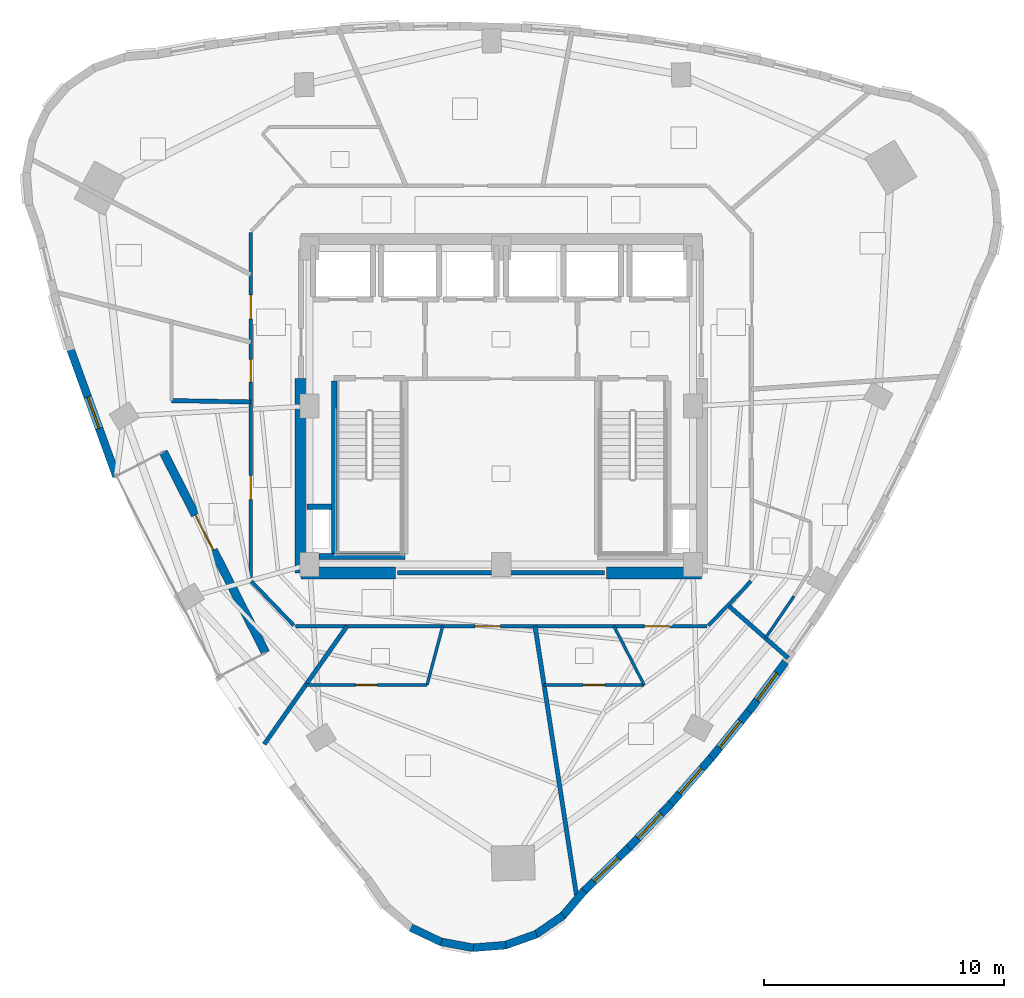
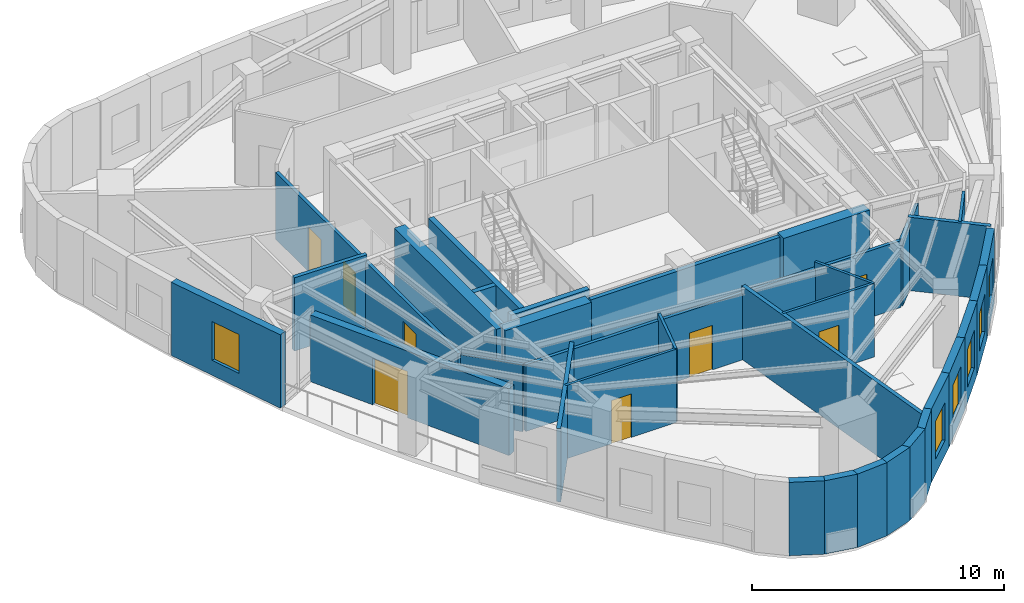
# One storey, part 6 of 12: 33 walls, 8 doors, 6 windows, 14 openings.
"""IFC4 building model written with IfcOpenShell, lengths in metres."""

import ifcopenshell
import ifcopenshell.guid

model = None  # the IFC model being written
_history = None  # IfcOwnerHistory: only IFC2X3 demands one
_inside = {}  # id of a spatial element -> (the spatial element, [elements in it])
_under = {}  # id of a project, library or spatial element -> (it, [spatial elements below it])
_declared = {}  # id of a project -> (the project, [libraries it declares])
_typed = {}  # id of a type object -> (the type object, [elements of that type])
_made_of = {}  # id of a material, layer set ... -> (it, [elements and type objects made of it])


def new_model(schema):
    """Start an empty IFC model of exactly this schema.

    Asked for "IFC4X3", IfcOpenShell would pick the latest addendum, in which some entities
    have other attributes; the version numbers below select the first issue.
    IFC2X3 requires an IfcOwnerHistory on every rooted entity: one is made here for all.
    """
    global model, _history
    if schema == "IFC4X3":
        model = ifcopenshell.file(schema_version=(4, 3, 0, 0))
    else:
        model = ifcopenshell.file(schema=schema)
    _inside.clear()
    _under.clear()
    _declared.clear()
    _typed.clear()
    _made_of.clear()
    _history = None
    if model.schema == "IFC2X3":
        org = make("IfcOrganization", Name="unknown")
        user = make(
            "IfcPersonAndOrganization",
            ThePerson=make("IfcPerson", FamilyName="unknown"),
            TheOrganization=org,
        )
        app = make(
            "IfcApplication",
            ApplicationDeveloper=org,
            Version="unknown",
            ApplicationFullName="unknown",
            ApplicationIdentifier="unknown",
        )
        _history = make(
            "IfcOwnerHistory",
            OwningUser=user,
            OwningApplication=app,
            ChangeAction="ADDED",
            CreationDate=0,
        )
    return model


def make(cls, **values):
    """One entity of the class cls with the attributes given. An attribute that is None is left unset."""
    return model.create_entity(
        cls, **{name: value for name, value in values.items() if value is not None}
    )


def rooted(cls, **values):
    """An entity with a GlobalId (a new one), such as an element, a storey or a relation."""
    return make(cls, GlobalId=ifcopenshell.guid.new(), OwnerHistory=_history, **values)


def si_unit(unit_type, name, prefix=None):
    """IfcSIUnit, for example si_unit("LENGTHUNIT", "METRE", prefix="MILLI")."""
    return make("IfcSIUnit", UnitType=unit_type, Prefix=prefix, Name=name)


def assignment(units):
    """IfcUnitAssignment: the units of a project."""
    return None if units is None else make("IfcUnitAssignment", Units=units)


def point(xyz):
    """IfcCartesianPoint."""
    return None if xyz is None else make("IfcCartesianPoint", Coordinates=xyz)


def direction(xyz):
    """IfcDirection."""
    return None if xyz is None else make("IfcDirection", DirectionRatios=xyz)


def frame(location, z_axis=None, x_axis=None):
    """IfcAxis2Placement3D, a coordinate frame: its origin and axes. An axis left out is left unset."""
    return make(
        "IfcAxis2Placement3D",
        Location=point(location),
        Axis=direction(z_axis),
        RefDirection=direction(x_axis),
    )


def frame_2d(location, x_axis=None):
    """IfcAxis2Placement2D, a coordinate frame in the plane: its origin and x axis."""
    return make(
        "IfcAxis2Placement2D", Location=point(location), RefDirection=direction(x_axis)
    )


def origin():
    """The frame at (0, 0, 0) with its axes left unset."""
    return frame((0.0, 0.0, 0.0))


def place(relative_to, where):
    """IfcLocalPlacement: puts the frame where relative to a parent placement (None: the world)."""
    return make(
        "IfcLocalPlacement", PlacementRelTo=relative_to, RelativePlacement=where
    )


def context(
    kind, dimensions, precision=None, world=None, true_north=None, identifier=None
):
    """IfcGeometricRepresentationContext, for example the 3D "Model" context."""
    return make(
        "IfcGeometricRepresentationContext",
        ContextIdentifier=identifier,
        ContextType=kind,
        CoordinateSpaceDimension=dimensions,
        Precision=precision,
        WorldCoordinateSystem=world,
        TrueNorth=true_north,
    )


def subcontext(parent, identifier, kind, view, scale=None):
    """IfcGeometricRepresentationSubContext, for example "Body" below "Model"."""
    return make(
        "IfcGeometricRepresentationSubContext",
        ContextIdentifier=identifier,
        ContextType=kind,
        ParentContext=parent,
        TargetScale=scale,
        TargetView=view,
    )


def project(units=None, contexts=None):
    """IfcProject with its units and contexts."""
    return rooted(
        "IfcProject",
        Name="project",
        RepresentationContexts=contexts,
        UnitsInContext=assignment(units),
    )


def spatial(cls, under=None, at=None, **own):
    """A site, building, storey or space (cls), placed at a placement, below another one or the project."""
    s = rooted(cls, ObjectPlacement=at, **own)
    if under is not None:
        _under.setdefault(under.id(), (under, []))[1].append(s)
    return s


def profile(cls, at=None, kind="AREA", **sizes):
    """A parametric profile (cls). Its sizes go by their IFC names, for example OverallWidth=200.0."""
    return make(cls, ProfileType=kind, Position=at, **sizes)


def rectangle(**sizes):
    """IfcRectangleProfileDef."""
    return profile("IfcRectangleProfileDef", **sizes)


def extrude(swept, where, along, depth):
    """IfcExtrudedAreaSolid: the profile swept, set in the frame where, extruded along a direction by depth."""
    return make(
        "IfcExtrudedAreaSolid",
        SweptArea=swept,
        Position=where,
        ExtrudedDirection=direction(along),
        Depth=depth,
    )


def shape(context_of_items, identifier, shape_type, items):
    """IfcShapeRepresentation: the items that make up one representation, for example the "Body"."""
    return make(
        "IfcShapeRepresentation",
        ContextOfItems=context_of_items,
        RepresentationIdentifier=identifier,
        RepresentationType=shape_type,
        Items=items,
    )


def material(Name=None, Category=None):
    """IfcMaterial."""
    return make("IfcMaterial", Name=Name, Category=Category)


def layer(
    of_material, thickness, ventilated=None, Name=None, Category=None, Priority=None
):
    """IfcMaterialLayer: one layer of a wall or slab, of a material (None: an air gap)."""
    return make(
        "IfcMaterialLayer",
        Material=of_material,
        LayerThickness=thickness,
        IsVentilated=ventilated,
        Name=Name,
        Category=Category,
        Priority=Priority,
    )


def layer_set(layers, Name=None):
    """IfcMaterialLayerSet."""
    return make("IfcMaterialLayerSet", MaterialLayers=layers, LayerSetName=Name)


def made_of(thing, what):
    """Note that an element or type object is made of a material, layer set ...; save() writes the relation."""
    if what is not None:
        _made_of.setdefault(what.id(), (what, []))[1].append(thing)
    return thing


def type_object(cls, material=None, **own):
    """A type object (cls), such as IfcWallType, which elements share."""
    return made_of(rooted(cls, **own), material)


def element(
    cls,
    number,
    at=None,
    inside=None,
    cuts=None,
    type_object=None,
    material=None,
    context=None,
    identifier="Body",
    shape_type=None,
    held_by="IfcProductDefinitionShape",
    body=None,
    shapes=None,
    **own,
):
    """One element of the class cls, such as IfcWall. Its Tag is "e" and its number.

    at: its placement. inside: the storey or other place that contains it. cuts: it is an
    opening in that element (IfcRelVoidsElement). A single representation is given by context,
    identifier, shape_type and body (its items); several are given by shapes. held_by: the class
    of the entity that holds the representations. save() writes the other relations.
    """
    e = rooted(cls, Tag="e%d" % number, ObjectPlacement=at, **own)
    if body is not None:
        shapes = [shape(context, identifier, shape_type, body)]
    if shapes is not None:
        e.Representation = make(held_by, Representations=shapes)
    if inside is not None:
        _inside.setdefault(inside.id(), (inside, []))[1].append(e)
    if cuts is not None:
        rooted(
            "IfcRelVoidsElement", RelatingBuildingElement=cuts, RelatedOpeningElement=e
        )
    if type_object is not None:
        _typed.setdefault(type_object.id(), (type_object, []))[1].append(e)
    return made_of(e, material)


def fill(opening, filler):
    """IfcRelFillsElement: the door or window that sits in an opening."""
    return rooted(
        "IfcRelFillsElement",
        RelatingOpeningElement=opening,
        RelatedBuildingElement=filler,
    )


def aggregate(whole, parts):
    """IfcRelAggregates: a whole, such as a stair, and the parts it consists of."""
    return rooted("IfcRelAggregates", RelatingObject=whole, RelatedObjects=parts)


def save(model, path):
    """Write the relations noted so far, then the file.

    IfcRelAggregates (storeys below a building ...), IfcRelContainedInSpatialStructure (elements
    in a storey), IfcRelDefinesByType, IfcRelAssociatesMaterial and IfcRelDeclares: one each for
    every whole, place, type object, material and project.
    """
    for whole, parts in _under.values():
        aggregate(whole, parts)
    for where, things in _inside.values():
        rooted(
            "IfcRelContainedInSpatialStructure",
            RelatedElements=things,
            RelatingStructure=where,
        )
    for kind, things in _typed.values():
        rooted("IfcRelDefinesByType", RelatedObjects=things, RelatingType=kind)
    for what, things in _made_of.values():
        rooted("IfcRelAssociatesMaterial", RelatedObjects=things, RelatingMaterial=what)
    for by, libraries in _declared.values():
        rooted("IfcRelDeclares", RelatingContext=by, RelatedDefinitions=libraries)
    model.write(path)


model = new_model("IFC4")

# Units and contexts
model_context = context("Model", 3, precision=1e-05, world=origin(), true_north=direction((0.0, 1.0)))
body_context = subcontext(model_context, "Body", "Model", "MODEL_VIEW")
ifc_project = project(units=[si_unit("LENGTHUNIT", "METRE"), si_unit("AREAUNIT", "SQUARE_METRE"), si_unit("VOLUMEUNIT", "CUBIC_METRE"), si_unit("PLANEANGLEUNIT", "RADIAN"), si_unit("MASSUNIT", "GRAM", prefix="KILO")], contexts=[model_context])

# Site, building, storey
site_placement = place(None, origin())
site = spatial("IfcSite", under=ifc_project, at=site_placement, CompositionType="ELEMENT")
building_placement = place(site_placement, origin())
building = spatial("IfcBuilding", under=site, at=building_placement, Name="Ndelora Gate Hotel", CompositionType="ELEMENT")
storey_placement = place(building_placement, frame((0.0, 0.0, 194.14990234375)))
storey = spatial("IfcBuildingStorey", under=building, at=storey_placement, Name="L48", CompositionType="ELEMENT", Elevation=194.14990234375)

# Walls
ifc_material_1 = material(Name="Acoustic Double-Stud Gypsum Assembly", Category="gypsum")
ifc_layer_1 = layer(ifc_material_1, 0.179931640625)
ifc_layer_set_1 = layer_set([ifc_layer_1], Name="Acoustic Double-Stud Gypsum Assembly")
wall_type_1 = type_object("IfcWallType", Name="WL-ACOUST-180", PredefinedType="PARTITIONING", material=ifc_layer_set_1)
wall_1_placement = place(storey_placement, frame((-10.449951171875, 0.177490234375, 0.0), z_axis=(0.0, 0.0, 1.0), x_axis=(-0.999856521487, 0.0169391983, 0.0)))
element("IfcWall", 1, at=wall_1_placement, inside=storey, type_object=wall_type_1, Name="L48 Interior Wall IW-3", PredefinedType="PARTITIONING", context=body_context, shape_type="SweptSolid", body=[
    extrude(rectangle(XDim=3.300537109375, YDim=0.179931640625, at=frame_2d((1.650390625, 0.0))), origin(), (0.0, 0.0, 1.0), 3.550048828125),
])
wall_2_placement = place(storey_placement, frame((-6.434326171875, -9.179931640625, 0.0), z_axis=(0.0, 0.0, 1.0), x_axis=(-0.573963891335, -0.818880608785, 0.0)))
element("IfcWall", 2, at=wall_2_placement, inside=storey, type_object=wall_type_1, Name="L48 Interior Wall IW-3", PredefinedType="PARTITIONING", context=body_context, shape_type="SweptSolid", body=[
    extrude(rectangle(XDim=6.010009765625, YDim=0.179931640625, at=frame_2d((3.0048828125, 0.0))), origin(), (0.0, 0.0, 1.0), 3.550048828125),
])
wall_3_placement = place(storey_placement, frame((1.4140625, -9.179931640625, 0.0), z_axis=(0.0, 0.0, 1.0), x_axis=(0.15222758157, -0.988345467643, 0.0)))
element("IfcWall", 3, at=wall_3_placement, inside=storey, type_object=wall_type_1, Name="L48 Interior Wall IW-3", PredefinedType="PARTITIONING", context=body_context, shape_type="SweptSolid", body=[
    extrude(rectangle(XDim=11.52001953125, YDim=0.179931640625, at=frame_2d((5.760009765625, 0.0))), origin(), (0.0, 0.0, 1.0), 3.550048828125),
])
wall_4_placement = place(storey_placement, frame((9.464111328125, -8.3037109375, 0.0), z_axis=(0.0, 0.0, 1.0), x_axis=(0.751711445712, -0.659492154909, 0.0)))
element("IfcWall", 4, at=wall_4_placement, inside=storey, type_object=wall_type_1, Name="L48 Interior Wall IW-3", PredefinedType="PARTITIONING", context=body_context, shape_type="SweptSolid", body=[
    extrude(rectangle(XDim=3.341064453125, YDim=0.179931640625, at=frame_2d((1.67041015625, 0.0))), origin(), (0.0, 0.0, 1.0), 3.550048828125),
])

# Wall, opening, window
ifc_material_2 = material(Name="Clay Brick Masonry", Category="masonry")
ifc_layer_2 = layer(ifc_material_2, 0.330078125)
ifc_layer_set_2 = layer_set([ifc_layer_2], Name="Clay Brick Masonry")
wall_type_2 = type_object("IfcWallType", Name="WL-BRICK-330", PredefinedType="SOLIDWALL", material=ifc_layer_set_2)
wall_5_placement = place(storey_placement, frame((-16.051513671875, -2.931640625, 0.0), z_axis=(0.0, 0.0, 1.0), x_axis=(-0.340145014301, 0.940372994745, 0.0)))
wall_5 = element("IfcWall", 5, at=wall_5_placement, inside=storey, type_object=wall_type_2, Name="L48 Tower Brick Pier-and-Spandrel Wall TWR-11", PredefinedType="SOLIDWALL", context=body_context, shape_type="SweptSolid", body=[
    extrude(rectangle(XDim=5.65673828125, YDim=0.330078125, at=frame_2d((2.828369140625, 0.0))), origin(), (0.0, 0.0, 1.0), 3.550048828125),
])
opening_1_placement = place(wall_5_placement, frame((2.12841796875, 0.0, 0.719970703125)))
opening_1 = element("IfcOpeningElement", 6, at=opening_1_placement, cuts=wall_5, Name="Opening W02", PredefinedType="OPENING", context=body_context, shape_type="SweptSolid", body=[
    extrude(rectangle(XDim=1.39990234375, YDim=1.8798828125, at=frame_2d((0.699951171875, 0.93994140625))), frame((0.0, 0.175048828125, 0.0), z_axis=(0.0, -1.0, 0.0), x_axis=(1.0, 0.0, 0.0)), (0.0, 0.0, 1.0), 0.35009765625),
])
ifc_material_3 = material(Name="Insulated Low-E Double Glazing in Bronze Aluminium Frame", Category="aluminium")
window_type = type_object("IfcWindowType", Name="WN-DEEP-1400", PartitioningType="SINGLE_PANEL", PredefinedType="WINDOW", material=ifc_material_3)
window_1_placement = place(opening_1_placement, origin())
window_1 = element("IfcWindow", 7, at=window_1_placement, inside=storey, type_object=window_type, Name="L48 Deep-Set Brick-Pier Window W02", OverallHeight=1.8798828125, OverallWidth=1.39990234375, PartitioningType="SINGLE_PANEL", PredefinedType="WINDOW", context=body_context, shape_type="SweptSolid", body=[
    extrude(rectangle(XDim=1.39990234375, YDim=1.8798828125, at=frame_2d((0.699951171875, 0.93994140625))), frame((0.0, 0.030029296875, 0.0), z_axis=(0.0, -1.0, 0.0), x_axis=(1.0, 0.0, 0.0)), (0.0, 0.0, 1.0), 0.06005859375),
])
fill(opening_1, window_1)

# Walls
for number, where, z_axis, x_axis, name in (
    (8, (-2.496337890625, -22.360595703125, 0.0), (0.0, 0.0, 1.0), (-0.902597460438, 0.43048556818, 0.0), "L48 Tower Brick Pier-and-Spandrel Wall TWR-21"),
    (9, (-1.15966796875, -22.601806640625, 0.0), (0.0, 0.0, 1.0), (-0.983245180137, 0.182288002174, 0.0), "L48 Tower Brick Pier-and-Spandrel Wall TWR-22"),
):
    element("IfcWall", number, at=place(storey_placement, frame(where, z_axis=z_axis, x_axis=x_axis)), inside=storey, type_object=wall_type_2, Name=name, PredefinedType="SOLIDWALL", context=body_context, shape_type="SweptSolid", body=[
        extrude(rectangle(XDim=1.40771484375, YDim=0.330078125, at=frame_2d((0.703857421875, 0.0))), origin(), (0.0, 0.0, 1.0), 3.550048828125),
    ])
for number, where, z_axis, x_axis, name in (
    (10, (0.19384765625, -22.48876953125, 0.0), (0.0, 0.0, 1.0), (-0.996907811278, -0.07857999626, 0.0), "L48 Tower Brick Pier-and-Spandrel Wall TWR-23"),
    (11, (1.47216796875, -22.029296875, 0.0), (0.0, 0.0, 1.0), (-0.942656791627, -0.33376364871, 0.0), "L48 Tower Brick Pier-and-Spandrel Wall TWR-24"),
    (12, (2.587890625, -21.254638671875, 0.0), (0.0, 0.0, 1.0), (-0.824148199331, -0.566374209812, 0.0), "L48 Tower Brick Pier-and-Spandrel Wall TWR-25"),
    (13, (3.465087890625, -20.217529296875, 0.0), (0.0, 0.0, 1.0), (-0.649318671118, -0.760516445146, 0.0), "L48 Tower Brick Pier-and-Spandrel Wall TWR-26"),
):
    element("IfcWall", number, at=place(storey_placement, frame(where, z_axis=z_axis, x_axis=x_axis)), inside=storey, type_object=wall_type_2, Name=name, PredefinedType="SOLIDWALL", context=body_context, shape_type="SweptSolid", body=[
        extrude(rectangle(XDim=1.407470703125, YDim=0.330078125, at=frame_2d((0.70361328125, 0.0))), origin(), (0.0, 0.0, 1.0), 3.550048828125),
    ])

# Wall, opening, window
wall_6_placement = place(storey_placement, frame((5.323974609375, -18.425537109375, 0.0), z_axis=(0.0, 0.0, 1.0), x_axis=(-0.719291162425, -0.694708732964, 0.0)))
wall_6 = element("IfcWall", 14, at=wall_6_placement, inside=storey, type_object=wall_type_2, Name="L48 Tower Brick Pier-and-Spandrel Wall TWR-27", PredefinedType="SOLIDWALL", context=body_context, shape_type="SweptSolid", body=[
    extrude(rectangle(XDim=2.6318359375, YDim=0.330078125, at=frame_2d((1.31591796875, 0.0))), origin(), (0.0, 0.0, 1.0), 3.550048828125),
])
opening_2_placement = place(wall_6_placement, frame((0.61572265625, 0.0, 0.719970703125)))
opening_2 = element("IfcOpeningElement", 15, at=opening_2_placement, cuts=wall_6, Name="Opening W02", PredefinedType="OPENING", context=body_context, shape_type="SweptSolid", body=[
    extrude(rectangle(XDim=1.39990234375, YDim=1.840087890625, at=frame_2d((0.699951171875, 0.919921875))), frame((0.0, 0.175048828125, 0.0), z_axis=(0.0, -1.0, 0.0), x_axis=(1.0, 0.0, 0.0)), (0.0, 0.0, 1.0), 0.35009765625),
])
window_2_placement = place(opening_2_placement, origin())
window_2 = element("IfcWindow", 16, at=window_2_placement, inside=storey, type_object=window_type, Name="L48 Deep-Set Brick-Pier Window W02", OverallHeight=1.840087890625, OverallWidth=1.39990234375, PartitioningType="SINGLE_PANEL", PredefinedType="WINDOW", context=body_context, shape_type="SweptSolid", body=[
    extrude(rectangle(XDim=1.39990234375, YDim=1.840087890625, at=frame_2d((0.699951171875, 0.919921875))), frame((0.0, 0.030029296875, 0.0), z_axis=(0.0, -1.0, 0.0), x_axis=(1.0, 0.0, 0.0)), (0.0, 0.0, 1.0), 0.06005859375),
])
fill(opening_2, window_2)

wall_7_placement = place(storey_placement, frame((7.091796875, -16.573974609375, 0.0), z_axis=(0.0, 0.0, 1.0), x_axis=(-0.690836041792, -0.723011454516, 0.0)))
wall_7 = element("IfcWall", 17, at=wall_7_placement, inside=storey, type_object=wall_type_2, Name="L48 Tower Brick Pier-and-Spandrel Wall TWR-28", PredefinedType="SOLIDWALL", context=body_context, shape_type="SweptSolid", body=[
    extrude(rectangle(XDim=2.610107421875, YDim=0.330078125, at=frame_2d((1.30517578125, 0.0))), origin(), (0.0, 0.0, 1.0), 3.550048828125),
])
opening_3_placement = place(wall_7_placement, frame((0.60498046875, 0.0, 0.719970703125)))
opening_3 = element("IfcOpeningElement", 18, at=opening_3_placement, cuts=wall_7, Name="Opening W02", PredefinedType="OPENING", context=body_context, shape_type="SweptSolid", body=[
    extrude(rectangle(XDim=1.39990234375, YDim=1.840087890625, at=frame_2d((0.699951171875, 0.919921875))), frame((0.0, 0.175048828125, 0.0), z_axis=(0.0, -1.0, 0.0), x_axis=(1.0, 0.0, 0.0)), (0.0, 0.0, 1.0), 0.35009765625),
])
window_3_placement = place(opening_3_placement, origin())
window_3 = element("IfcWindow", 19, at=window_3_placement, inside=storey, type_object=window_type, Name="L48 Deep-Set Brick-Pier Window W02", OverallHeight=1.840087890625, OverallWidth=1.39990234375, PartitioningType="SINGLE_PANEL", PredefinedType="WINDOW", context=body_context, shape_type="SweptSolid", body=[
    extrude(rectangle(XDim=1.39990234375, YDim=1.840087890625, at=frame_2d((0.699951171875, 0.919921875))), frame((0.0, 0.030029296875, 0.0), z_axis=(0.0, -1.0, 0.0), x_axis=(1.0, 0.0, 0.0)), (0.0, 0.0, 1.0), 0.06005859375),
])
fill(opening_3, window_3)

wall_8_placement = place(storey_placement, frame((8.770751953125, -14.664794921875, 0.0), z_axis=(0.0, 0.0, 1.0), x_axis=(-0.660708561144, -0.75064252293, 0.0)))
wall_8 = element("IfcWall", 20, at=wall_8_placement, inside=storey, type_object=wall_type_2, Name="L48 Tower Brick Pier-and-Spandrel Wall TWR-29", PredefinedType="SOLIDWALL", context=body_context, shape_type="SweptSolid", body=[
    extrude(rectangle(XDim=2.592529296875, YDim=0.330078125, at=frame_2d((1.29638671875, 0.0))), origin(), (0.0, 0.0, 1.0), 3.550048828125),
])
opening_4_placement = place(wall_8_placement, frame((0.59619140625, 0.0, 0.719970703125)))
opening_4 = element("IfcOpeningElement", 21, at=opening_4_placement, cuts=wall_8, Name="Opening W02", PredefinedType="OPENING", context=body_context, shape_type="SweptSolid", body=[
    extrude(rectangle(XDim=1.39990234375, YDim=1.840087890625, at=frame_2d((0.699951171875, 0.919921875))), frame((0.0, 0.175048828125, 0.0), z_axis=(0.0, -1.0, 0.0), x_axis=(1.0, 0.0, 0.0)), (0.0, 0.0, 1.0), 0.35009765625),
])
window_4_placement = place(opening_4_placement, origin())
window_4 = element("IfcWindow", 22, at=window_4_placement, inside=storey, type_object=window_type, Name="L48 Deep-Set Brick-Pier Window W02", OverallHeight=1.840087890625, OverallWidth=1.39990234375, PartitioningType="SINGLE_PANEL", PredefinedType="WINDOW", context=body_context, shape_type="SweptSolid", body=[
    extrude(rectangle(XDim=1.39990234375, YDim=1.840087890625, at=frame_2d((0.699951171875, 0.919921875))), frame((0.0, 0.030029296875, 0.0), z_axis=(0.0, -1.0, 0.0), x_axis=(1.0, 0.0, 0.0)), (0.0, 0.0, 1.0), 0.06005859375),
])
fill(opening_4, window_4)

wall_9_placement = place(storey_placement, frame((10.361328125, -12.697998046875, 0.0), z_axis=(0.0, 0.0, 1.0), x_axis=(-0.629151938827, -0.777282341154, 0.0)))
wall_9 = element("IfcWall", 23, at=wall_9_placement, inside=storey, type_object=wall_type_2, Name="L48 Tower Brick Pier-and-Spandrel Wall TWR-30", PredefinedType="SOLIDWALL", context=body_context, shape_type="SweptSolid", body=[
    extrude(rectangle(XDim=2.579345703125, YDim=0.330078125, at=frame_2d((1.28955078125, 0.0))), origin(), (0.0, 0.0, 1.0), 3.550048828125),
])
opening_5_placement = place(wall_9_placement, frame((0.589599609375, 0.0, 0.719970703125)))
opening_5 = element("IfcOpeningElement", 24, at=opening_5_placement, cuts=wall_9, Name="Opening W02", PredefinedType="OPENING", context=body_context, shape_type="SweptSolid", body=[
    extrude(rectangle(XDim=1.39990234375, YDim=1.840087890625, at=frame_2d((0.699951171875, 0.919921875))), frame((0.0, 0.175048828125, 0.0), z_axis=(0.0, -1.0, 0.0), x_axis=(1.0, 0.0, 0.0)), (0.0, 0.0, 1.0), 0.35009765625),
])
window_5_placement = place(opening_5_placement, origin())
window_5 = element("IfcWindow", 25, at=window_5_placement, inside=storey, type_object=window_type, Name="L48 Deep-Set Brick-Pier Window W02", OverallHeight=1.840087890625, OverallWidth=1.39990234375, PartitioningType="SINGLE_PANEL", PredefinedType="WINDOW", context=body_context, shape_type="SweptSolid", body=[
    extrude(rectangle(XDim=1.39990234375, YDim=1.840087890625, at=frame_2d((0.699951171875, 0.919921875))), frame((0.0, 0.030029296875, 0.0), z_axis=(0.0, -1.0, 0.0), x_axis=(1.0, 0.0, 0.0)), (0.0, 0.0, 1.0), 0.06005859375),
])
fill(opening_5, window_5)

wall_10_placement = place(storey_placement, frame((11.86328125, -10.673828125, 0.0), z_axis=(0.0, 0.0, 1.0), x_axis=(-0.596178851143, -0.802851653451, 0.0)))
wall_10 = element("IfcWall", 26, at=wall_10_placement, inside=storey, type_object=wall_type_2, Name="L48 Tower Brick Pier-and-Spandrel Wall TWR-31", PredefinedType="SOLIDWALL", context=body_context, shape_type="SweptSolid", body=[
    extrude(rectangle(XDim=2.570556640625, YDim=0.330078125, at=frame_2d((1.28515625, 0.0))), origin(), (0.0, 0.0, 1.0), 3.550048828125),
])
opening_6_placement = place(wall_10_placement, frame((0.585205078125, 0.0, 0.719970703125)))
opening_6 = element("IfcOpeningElement", 27, at=opening_6_placement, cuts=wall_10, Name="Opening W02", PredefinedType="OPENING", context=body_context, shape_type="SweptSolid", body=[
    extrude(rectangle(XDim=1.39990234375, YDim=1.840087890625, at=frame_2d((0.699951171875, 0.919921875))), frame((0.0, 0.175048828125, 0.0), z_axis=(0.0, -1.0, 0.0), x_axis=(1.0, 0.0, 0.0)), (0.0, 0.0, 1.0), 0.35009765625),
])
window_6_placement = place(opening_6_placement, origin())
window_6 = element("IfcWindow", 28, at=window_6_placement, inside=storey, type_object=window_type, Name="L48 Deep-Set Brick-Pier Window W02", OverallHeight=1.840087890625, OverallWidth=1.39990234375, PartitioningType="SINGLE_PANEL", PredefinedType="WINDOW", context=body_context, shape_type="SweptSolid", body=[
    extrude(rectangle(XDim=1.39990234375, YDim=1.840087890625, at=frame_2d((0.699951171875, 0.919921875))), frame((0.0, 0.030029296875, 0.0), z_axis=(0.0, -1.0, 0.0), x_axis=(1.0, 0.0, 0.0)), (0.0, 0.0, 1.0), 0.06005859375),
])
fill(opening_6, window_6)

# Wall, opening, door
ifc_layer_3 = layer(ifc_material_2, 0.360107421875)
ifc_layer_set_3 = layer_set([ifc_layer_3], Name="Clay Brick Masonry")
wall_type_3 = type_object("IfcWallType", Name="WL-BRICK-360", PredefinedType="SOLIDWALL", material=ifc_layer_set_3)
wall_11_placement = place(storey_placement, frame((-9.83251953125, -10.284912109375, 0.0), z_axis=(0.0, 0.0, 1.0), x_axis=(-0.453963909428, 0.891020072129, 0.0)))
wall_11 = element("IfcWall", 29, at=wall_11_placement, inside=storey, type_object=wall_type_3, Name="L48 Sky-Garden Loggia Rear Brick Wall", PredefinedType="SOLIDWALL", context=body_context, shape_type="SweptSolid", body=[
    extrude(rectangle(XDim=9.400146484375, YDim=0.360107421875, at=frame_2d((4.7001953125, 0.0))), origin(), (0.0, 0.0, 1.0), 3.22998046875),
])
opening_7_placement = place(wall_11_placement, frame((4.800048828125, 0.0, 0.0)))
opening_7 = element("IfcOpeningElement", 30, at=opening_7_placement, cuts=wall_11, Name="Opening TD1", PredefinedType="OPENING", context=body_context, shape_type="SweptSolid", body=[
    extrude(rectangle(XDim=1.64990234375, YDim=2.25, at=frame_2d((0.824951171875, 1.125))), frame((0.0, 0.18994140625, 0.0), z_axis=(0.0, -1.0, 0.0), x_axis=(1.0, 0.0, 0.0)), (0.0, 0.0, 1.0), 0.380126953125),
])
ifc_material_4 = material(Name="Architectural Bronze Glazed Door", Category="metal")
door_type_1 = type_object("IfcDoorType", Name="DR-TER-1650", OperationType="DOUBLE_DOOR_SINGLE_SWING", PredefinedType="DOOR", material=ifc_material_4)
door_1_placement = place(opening_7_placement, origin())
door_1 = element("IfcDoor", 31, at=door_1_placement, inside=storey, type_object=door_type_1, Name="L48 Sky-Garden Terrace Double Door TD1", OperationType="DOUBLE_DOOR_SINGLE_SWING", OverallHeight=2.25, OverallWidth=1.64990234375, PredefinedType="DOOR", context=body_context, shape_type="SweptSolid", body=[
    extrude(rectangle(XDim=1.64990234375, YDim=2.25, at=frame_2d((0.824951171875, 1.125))), frame((0.0, 0.02490234375, 0.0), z_axis=(0.0, -1.0, 0.0), x_axis=(1.0, 0.0, 0.0)), (0.0, 0.0, 1.0), 0.050048828125),
])
fill(opening_7, door_1)

# Walls
ifc_material_5 = material(Name="Concrete C50/60", Category="concrete")
ifc_layer_4 = layer(ifc_material_5, 0.5)
ifc_layer_set_4 = layer_set([ifc_layer_4], Name="Concrete C50/60")
wall_type_4 = type_object("IfcWallType", Name="WL-CORE-500", PredefinedType="SHEAR", material=ifc_layer_set_4)
for number, where, z_axis, x_axis, name in (
    (32, (-8.35009765625, -6.949951171875, 0.0), (0.0, 0.0, 1.0), (1.0, 0.0, 0.0), "L48 Core Shear Wall S-W"),
    (33, (4.39990234375, -6.949951171875, 0.0), (0.0, 0.0, 1.0), (1.0, 0.0, 0.0), "L48 Core Shear Wall S-E"),
):
    element("IfcWall", number, at=place(storey_placement, frame(where, z_axis=z_axis, x_axis=x_axis)), inside=storey, type_object=wall_type_4, Name=name, PredefinedType="SHEAR", context=body_context, shape_type="SweptSolid", body=[
        extrude(rectangle(XDim=3.9501953125, YDim=0.5, at=frame_2d((1.97509765625, 0.0))), origin(), (0.0, 0.0, 1.0), 3.550048828125),
    ])
wall_12_placement = place(storey_placement, frame((-8.35009765625, -6.949951171875, 0.0), z_axis=(0.0, 0.0, 1.0), x_axis=(0.0, 1.0, 0.0)))
element("IfcWall", 34, at=wall_12_placement, inside=storey, type_object=wall_type_4, Name="L48 Core Shear Wall W", PredefinedType="SHEAR", context=body_context, shape_type="SweptSolid", body=[
    extrude(rectangle(XDim=8.099853515625, YDim=0.5, at=frame_2d((4.0498046875, 0.0))), origin(), (0.0, 0.0, 1.0), 3.550048828125),
])
ifc_material_6 = material(Name="Concrete C40/50", Category="concrete")
ifc_layer_5 = layer(ifc_material_6, 0.199951171875)
ifc_layer_set_5 = layer_set([ifc_layer_5], Name="Concrete C40/50")
wall_type_5 = type_object("IfcWallType", Name="WL-FIRE-200", PredefinedType="PARTITIONING", material=ifc_layer_set_5)
wall_13_placement = place(storey_placement, frame((-4.320068359375, -6.949951171875, 0.0), z_axis=(0.0, 0.0, 1.0), x_axis=(1.0, 0.0, 0.0)))
element("IfcWall", 35, at=wall_13_placement, inside=storey, type_object=wall_type_5, Name="L48 Interior Wall IW-2", PredefinedType="PARTITIONING", context=body_context, shape_type="SweptSolid", body=[
    extrude(rectangle(XDim=8.64013671875, YDim=0.199951171875, at=frame_2d((4.320068359375, 0.0))), origin(), (0.0, 0.0, 1.0), 3.550048828125),
])

# Wall, openings, doors
ifc_material_7 = material(Name="Fire-Rated Gypsum Stud Partition", Category="gypsum")
ifc_layer_6 = layer(ifc_material_7, 0.14990234375)
ifc_layer_set_6 = layer_set([ifc_layer_6], Name="Fire-Rated Gypsum Stud Partition")
wall_type_6 = type_object("IfcWallType", Name="WL-PART-150", PredefinedType="PARTITIONING", material=ifc_layer_set_6)
wall_14_placement = place(storey_placement, frame((8.580078125, -9.179931640625, 0.0), z_axis=(0.0, 0.0, 1.0), x_axis=(-1.0, 0.0, 0.0)))
wall_14 = element("IfcWall", 36, at=wall_14_placement, inside=storey, type_object=wall_type_6, Name="L48 Interior Wall IW-5", PredefinedType="PARTITIONING", context=body_context, shape_type="SweptSolid", body=[
    extrude(rectangle(XDim=17.16015625, YDim=0.14990234375, at=frame_2d((8.580078125, 0.0))), origin(), (0.0, 0.0, 1.0), 3.22998046875),
])
opening_8_placement = place(wall_14_placement, frame((1.5458984375, 0.0, 0.0)))
opening_8 = element("IfcOpeningElement", 37, at=opening_8_placement, cuts=wall_14, Name="Opening D07", PredefinedType="OPENING", context=body_context, shape_type="SweptSolid", body=[
    extrude(rectangle(XDim=1.06005859375, YDim=2.14990234375, at=frame_2d((0.530029296875, 1.074951171875))), frame((0.0, 0.0849609375, 0.0), z_axis=(0.0, -1.0, 0.0), x_axis=(1.0, 0.0, 0.0)), (0.0, 0.0, 1.0), 0.169921875),
])
opening_9_placement = place(wall_14_placement, frame((8.614501953125, 0.0, 0.0)))
opening_9 = element("IfcOpeningElement", 38, at=opening_9_placement, cuts=wall_14, Name="Opening D07", PredefinedType="OPENING", context=body_context, shape_type="SweptSolid", body=[
    extrude(rectangle(XDim=1.06005859375, YDim=2.14990234375, at=frame_2d((0.530029296875, 1.074951171875))), frame((0.0, 0.0849609375, 0.0), z_axis=(0.0, -1.0, 0.0), x_axis=(1.0, 0.0, 0.0)), (0.0, 0.0, 1.0), 0.169921875),
])
ifc_material_8 = material(Name="Diplomatic Suite Acoustic Entrance Door", Category="wood")
door_type_2 = type_object("IfcDoorType", Name="DR-SUITE-1060", OperationType="SINGLE_SWING_LEFT", PredefinedType="DOOR", material=ifc_material_8)
door_2_placement = place(opening_8_placement, origin())
door_2 = element("IfcDoor", 39, at=door_2_placement, inside=storey, type_object=door_type_2, Name="L48 South Panoramic Suite 5102 Entrance Door", OperationType="SINGLE_SWING_LEFT", OverallHeight=2.14990234375, OverallWidth=1.06005859375, PredefinedType="DOOR", context=body_context, shape_type="SweptSolid", body=[
    extrude(rectangle(XDim=1.06005859375, YDim=2.14990234375, at=frame_2d((0.530029296875, 1.074951171875))), frame((0.0, 0.02490234375, 0.0), z_axis=(0.0, -1.0, 0.0), x_axis=(1.0, 0.0, 0.0)), (0.0, 0.0, 1.0), 0.050048828125),
])
fill(opening_8, door_2)
door_3_placement = place(opening_9_placement, origin())
door_3 = element("IfcDoor", 40, at=door_3_placement, inside=storey, type_object=door_type_2, Name="L48 Grand Corner Suite 5101 Entrance Door", OperationType="SINGLE_SWING_LEFT", OverallHeight=2.14990234375, OverallWidth=1.06005859375, PredefinedType="DOOR", context=body_context, shape_type="SweptSolid", body=[
    extrude(rectangle(XDim=1.06005859375, YDim=2.14990234375, at=frame_2d((0.530029296875, 1.074951171875))), frame((0.0, 0.02490234375, 0.0), z_axis=(0.0, -1.0, 0.0), x_axis=(1.0, 0.0, 0.0)), (0.0, 0.0, 1.0), 0.050048828125),
])
fill(opening_9, door_3)

# Wall
wall_15_placement = place(storey_placement, frame((10.42236328125, -7.308837890625, 0.0), z_axis=(0.0, 0.0, 1.0), x_axis=(-0.693764562202, -0.720201869085, 0.0)))
element("IfcWall", 41, at=wall_15_placement, inside=storey, type_object=wall_type_6, Name="L48 Interior Wall IW-5", PredefinedType="PARTITIONING", context=body_context, shape_type="SweptSolid", body=[
    extrude(rectangle(XDim=2.55810546875, YDim=0.14990234375, at=frame_2d((1.279052734375, 0.0))), origin(), (0.0, 0.0, 1.0), 3.22998046875),
])

# Wall, openings, doors
wall_16_placement = place(storey_placement, frame((-10.449951171875, -7.239990234375, 0.0), z_axis=(0.0, 0.0, 1.0), x_axis=(0.0, 1.0, 0.0)))
wall_16 = element("IfcWall", 42, at=wall_16_placement, inside=storey, type_object=wall_type_6, Name="L48 Interior Wall IW-5", PredefinedType="PARTITIONING", context=body_context, shape_type="SweptSolid", body=[
    extrude(rectangle(XDim=14.47998046875, YDim=0.14990234375, at=frame_2d((7.239990234375, 0.0))), origin(), (0.0, 0.0, 1.0), 3.22998046875),
])
opening_10_placement = place(wall_16_placement, frame((8.2431640625, 0.0, 0.0)))
opening_10 = element("IfcOpeningElement", 43, at=opening_10_placement, cuts=wall_16, Name="Opening D05", PredefinedType="OPENING", context=body_context, shape_type="SweptSolid", body=[
    extrude(rectangle(XDim=0.949951171875, YDim=2.10009765625, at=frame_2d((0.47509765625, 1.050048828125))), frame((0.0, 0.0849609375, 0.0), z_axis=(0.0, -1.0, 0.0), x_axis=(1.0, 0.0, 0.0)), (0.0, 0.0, 1.0), 0.169921875),
])
opening_11_placement = place(wall_16_placement, frame((10.8837890625, 0.0, 0.0)))
opening_11 = element("IfcOpeningElement", 44, at=opening_11_placement, cuts=wall_16, Name="Opening D01", PredefinedType="OPENING", context=body_context, shape_type="SweptSolid", body=[
    extrude(rectangle(XDim=1.0, YDim=2.14990234375, at=frame_2d((0.5, 1.074951171875))), frame((0.0, 0.0849609375, 0.0), z_axis=(0.0, -1.0, 0.0), x_axis=(1.0, 0.0, 0.0)), (0.0, 0.0, 1.0), 0.169921875),
])
opening_12_placement = place(wall_16_placement, frame((3.3486328125, 0.0, 0.0)))
opening_12 = element("IfcOpeningElement", 45, at=opening_12_placement, cuts=wall_16, Name="Opening D01", PredefinedType="OPENING", context=body_context, shape_type="SweptSolid", body=[
    extrude(rectangle(XDim=1.0, YDim=2.14990234375, at=frame_2d((0.5, 1.074951171875))), frame((0.0, 0.0849609375, 0.0), z_axis=(0.0, -1.0, 0.0), x_axis=(1.0, 0.0, 0.0)), (0.0, 0.0, 1.0), 0.169921875),
])
ifc_material_9 = material(Name="Accessible Restroom Wide-Clearance Door", Category="wood")
door_type_3 = type_object("IfcDoorType", Name="DR-ACC-950", OperationType="SINGLE_SWING_LEFT", PredefinedType="DOOR", material=ifc_material_9)
door_4_placement = place(opening_10_placement, origin())
door_4 = element("IfcDoor", 46, at=door_4_placement, inside=storey, type_object=door_type_3, Name="L48 Accessible WC Entrance Door", OperationType="SINGLE_SWING_RIGHT", OverallHeight=2.10009765625, OverallWidth=0.949951171875, PredefinedType="DOOR", context=body_context, shape_type="SweptSolid", body=[
    extrude(rectangle(XDim=0.949951171875, YDim=2.10009765625, at=frame_2d((0.47509765625, 1.050048828125))), frame((0.0, 0.02490234375, 0.0), z_axis=(0.0, -1.0, 0.0), x_axis=(1.0, 0.0, 0.0)), (0.0, 0.0, 1.0), 0.050048828125),
])
fill(opening_10, door_4)
ifc_material_10 = material(Name="Acoustic Hardwood Guest Entrance Door", Category="wood")
door_type_4 = type_object("IfcDoorType", Name="DR-COR-1000", OperationType="SINGLE_SWING_LEFT", PredefinedType="DOOR", material=ifc_material_10)
door_5_placement = place(opening_11_placement, origin())
door_5 = element("IfcDoor", 47, at=door_5_placement, inside=storey, type_object=door_type_4, Name="L48 Housekeeping and Linen Room Entrance Door", OperationType="SINGLE_SWING_LEFT", OverallHeight=2.14990234375, OverallWidth=1.0, PredefinedType="DOOR", context=body_context, shape_type="SweptSolid", body=[
    extrude(rectangle(XDim=1.0, YDim=2.14990234375, at=frame_2d((0.5, 1.074951171875))), frame((0.0, 0.02490234375, 0.0), z_axis=(0.0, -1.0, 0.0), x_axis=(1.0, 0.0, 0.0)), (0.0, 0.0, 1.0), 0.050048828125),
])
fill(opening_11, door_5)
door_6_placement = place(opening_12_placement, origin())
door_6 = element("IfcDoor", 48, at=door_6_placement, inside=storey, type_object=door_type_4, Name="L48 Sky Garden Tea Dining Room Entrance Door", OperationType="SINGLE_SWING_RIGHT", OverallHeight=2.14990234375, OverallWidth=1.0, PredefinedType="DOOR", context=body_context, shape_type="SweptSolid", body=[
    extrude(rectangle(XDim=1.0, YDim=2.14990234375, at=frame_2d((0.5, 1.074951171875))), frame((0.0, 0.02490234375, 0.0), z_axis=(0.0, -1.0, 0.0), x_axis=(1.0, 0.0, 0.0)), (0.0, 0.0, 1.0), 0.050048828125),
])
fill(opening_12, door_6)

# Walls
wall_17_placement = place(storey_placement, frame((-8.647705078125, -9.151123046875, 0.0), z_axis=(0.0, 0.0, 1.0), x_axis=(-0.693764562202, 0.720201869085, 0.0)))
element("IfcWall", 49, at=wall_17_placement, inside=storey, type_object=wall_type_6, Name="L48 Interior Wall IW-5", PredefinedType="PARTITIONING", context=body_context, shape_type="SweptSolid", body=[
    extrude(rectangle(XDim=2.55810546875, YDim=0.14990234375, at=frame_2d((1.279052734375, 0.0))), origin(), (0.0, 0.0, 1.0), 3.22998046875),
])
ifc_layer_7 = layer(ifc_material_6, 0.219970703125)
ifc_layer_set_7 = layer_set([ifc_layer_7], Name="Concrete C40/50")
wall_type_7 = type_object("IfcWallType", Name="WL-SHAFT-220", PredefinedType="PARTITIONING", material=ifc_layer_set_7)
wall_18_placement = place(storey_placement, frame((-8.10009765625, -4.199951171875, 0.0), z_axis=(0.0, 0.0, 1.0), x_axis=(1.0, 0.0, 0.0)))
element("IfcWall", 50, at=wall_18_placement, inside=storey, type_object=wall_type_7, Name="L48 Interior Wall IW-1", PredefinedType="PARTITIONING", context=body_context, shape_type="SweptSolid", body=[
    extrude(rectangle(XDim=1.010009765625, YDim=0.219970703125, at=frame_2d((0.5048828125, 0.0))), origin(), (0.0, 0.0, 1.0), 3.550048828125),
])
ifc_layer_8 = layer(ifc_material_5, 0.239990234375)
ifc_layer_set_8 = layer_set([ifc_layer_8], Name="Concrete C50/60")
wall_type_8 = type_object("IfcWallType", Name="WL-STAIR-240", PredefinedType="SHEAR", material=ifc_layer_set_8)
wall_19_placement = place(storey_placement, frame((-6.969970703125, -6.159912109375, 0.0), z_axis=(0.0, 0.0, 1.0), x_axis=(0.0, 1.0, 0.0)))
element("IfcWall", 51, at=wall_19_placement, inside=storey, type_object=wall_type_8, Name="L48 Stair Core Shear Wall SW-ST", PredefinedType="SHEAR", context=body_context, shape_type="SweptSolid", body=[
    extrude(rectangle(XDim=7.219970703125, YDim=0.239990234375, at=frame_2d((3.60986328125, 0.0))), origin(), (0.0, 0.0, 1.0), 3.550048828125),
])
wall_20_placement = place(storey_placement, frame((-7.60009765625, -6.27001953125, 0.0), z_axis=(0.0, 0.0, 1.0), x_axis=(1.0, 0.0, 0.0)))
element("IfcWall", 52, at=wall_20_placement, inside=storey, type_object=wall_type_8, Name="L48 Stair Core Shear Wall SW-ST", PredefinedType="SHEAR", context=body_context, shape_type="SweptSolid", body=[
    extrude(rectangle(XDim=3.590087890625, YDim=0.239990234375, at=frame_2d((1.794921875, 0.0))), origin(), (0.0, 0.0, 1.0), 3.550048828125),
])
ifc_material_11 = material(Name="Moisture-Resistant Bathroom Tile Partition", Category="gypsum")
ifc_layer_9 = layer(ifc_material_11, 0.1201171875)
ifc_layer_set_9 = layer_set([ifc_layer_9], Name="Moisture-Resistant Bathroom Tile Partition")
wall_type_9 = type_object("IfcWallType", Name="WL-WET-120", PredefinedType="PARTITIONING", material=ifc_layer_set_9)
wall_21_placement = place(storey_placement, frame((-2.440185546875, -9.179931640625, 0.0), z_axis=(0.0, 0.0, 1.0), x_axis=(-0.256943284385, -0.96642648381, 0.0)))
element("IfcWall", 53, at=wall_21_placement, inside=storey, type_object=wall_type_9, Name="L48 Interior Wall IW-7", PredefinedType="PARTITIONING", context=body_context, shape_type="SweptSolid", body=[
    extrude(rectangle(XDim=2.53515625, YDim=0.1201171875, at=frame_2d((1.267578125, 0.0))), origin(), (0.0, 0.0, 1.0), 3.550048828125),
])

# Wall, opening, door
wall_22_placement = place(storey_placement, frame((-3.091552734375, -11.6298828125, 0.0), z_axis=(0.0, 0.0, 1.0), x_axis=(-1.0, 0.0, 0.0)))
wall_22 = element("IfcWall", 54, at=wall_22_placement, inside=storey, type_object=wall_type_9, Name="L48 Interior Wall IW-7", PredefinedType="PARTITIONING", context=body_context, shape_type="SweptSolid", body=[
    extrude(rectangle(XDim=5.06005859375, YDim=0.1201171875, at=frame_2d((2.530029296875, 0.0))), origin(), (0.0, 0.0, 1.0), 3.550048828125),
])
opening_13_placement = place(wall_22_placement, frame((2.070068359375, 0.0, 0.0)))
opening_13 = element("IfcOpeningElement", 55, at=opening_13_placement, cuts=wall_22, Name="Opening D03", PredefinedType="OPENING", context=body_context, shape_type="SweptSolid", body=[
    extrude(rectangle(XDim=0.919921875, YDim=2.10009765625, at=frame_2d((0.4599609375, 1.050048828125))), frame((0.0, 0.070068359375, 0.0), z_axis=(0.0, -1.0, 0.0), x_axis=(1.0, 0.0, 0.0)), (0.0, 0.0, 1.0), 0.14013671875),
])
ifc_material_12 = material(Name="Moisture-Resistant Hardwood En-Suite Door", Category="wood")
door_type_5 = type_object("IfcDoorType", Name="DR-BATH-920", OperationType="SINGLE_SWING_LEFT", PredefinedType="DOOR", material=ifc_material_12)
door_7_placement = place(opening_13_placement, origin())
door_7 = element("IfcDoor", 56, at=door_7_placement, inside=storey, type_object=door_type_5, Name="L48 En-suite Bathroom 5101 Door", OperationType="SINGLE_SWING_RIGHT", OverallHeight=2.10009765625, OverallWidth=0.919921875, PredefinedType="DOOR", context=body_context, shape_type="SweptSolid", body=[
    extrude(rectangle(XDim=0.919921875, YDim=2.10009765625, at=frame_2d((0.4599609375, 1.050048828125))), frame((0.0, 0.02490234375, 0.0), z_axis=(0.0, -1.0, 0.0), x_axis=(1.0, 0.0, 0.0)), (0.0, 0.0, 1.0), 0.050048828125),
])
fill(opening_13, door_7)

# Wall
wall_23_placement = place(storey_placement, frame((5.963623046875, -11.6298828125, 0.0), z_axis=(0.0, 0.0, 1.0), x_axis=(-0.456305846295, 0.889823001859, 0.0)))
element("IfcWall", 57, at=wall_23_placement, inside=storey, type_object=wall_type_9, Name="L48 Interior Wall IW-7", PredefinedType="PARTITIONING", context=body_context, shape_type="SweptSolid", body=[
    extrude(rectangle(XDim=2.75341796875, YDim=0.1201171875, at=frame_2d((1.376708984375, 0.0))), origin(), (0.0, 0.0, 1.0), 3.550048828125),
])

# Wall, opening, door
wall_24_placement = place(storey_placement, frame((5.963623046875, -11.6298828125, 0.0), z_axis=(0.0, 0.0, 1.0), x_axis=(-1.0, 0.0, 0.0)))
wall_24 = element("IfcWall", 58, at=wall_24_placement, inside=storey, type_object=wall_type_9, Name="L48 Interior Wall IW-7", PredefinedType="PARTITIONING", context=body_context, shape_type="SweptSolid", body=[
    extrude(rectangle(XDim=4.172119140625, YDim=0.1201171875, at=frame_2d((2.0859375, 0.0))), origin(), (0.0, 0.0, 1.0), 3.550048828125),
])
opening_14_placement = place(wall_24_placement, frame((1.626220703125, 0.0, 0.0)))
opening_14 = element("IfcOpeningElement", 59, at=opening_14_placement, cuts=wall_24, Name="Opening D03", PredefinedType="OPENING", context=body_context, shape_type="SweptSolid", body=[
    extrude(rectangle(XDim=0.919921875, YDim=2.10009765625, at=frame_2d((0.4599609375, 1.050048828125))), frame((0.0, 0.070068359375, 0.0), z_axis=(0.0, -1.0, 0.0), x_axis=(1.0, 0.0, 0.0)), (0.0, 0.0, 1.0), 0.14013671875),
])
door_8_placement = place(opening_14_placement, origin())
door_8 = element("IfcDoor", 60, at=door_8_placement, inside=storey, type_object=door_type_5, Name="L48 En-suite Bathroom 5102 Door", OperationType="SINGLE_SWING_LEFT", OverallHeight=2.10009765625, OverallWidth=0.919921875, PredefinedType="DOOR", context=body_context, shape_type="SweptSolid", body=[
    extrude(rectangle(XDim=0.919921875, YDim=2.10009765625, at=frame_2d((0.4599609375, 1.050048828125))), frame((0.0, 0.02490234375, 0.0), z_axis=(0.0, -1.0, 0.0), x_axis=(1.0, 0.0, 0.0)), (0.0, 0.0, 1.0), 0.050048828125),
])
fill(opening_14, door_8)

# Wall
wall_25_placement = place(storey_placement, frame((11.02880859375, -9.676513671875, 0.0), z_axis=(0.0, 0.0, 1.0), x_axis=(0.562050393964, 0.82710298914, 0.0)))
element("IfcWall", 61, at=wall_25_placement, inside=storey, type_object=wall_type_9, Name="L48 Interior Wall IW-7", PredefinedType="PARTITIONING", context=body_context, shape_type="SweptSolid", body=[
    extrude(rectangle(XDim=2.109375, YDim=0.1201171875, at=frame_2d((1.0546875, 0.0))), origin(), (0.0, 0.0, 1.0), 3.550048828125),
])

save(model, "model.ifc")
